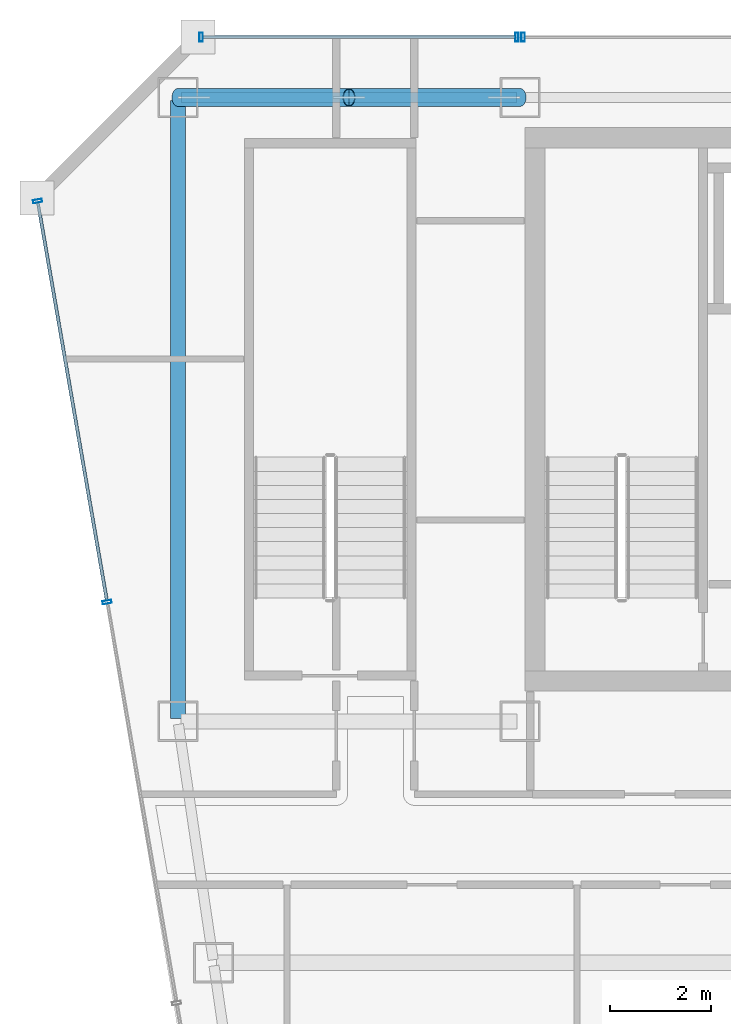
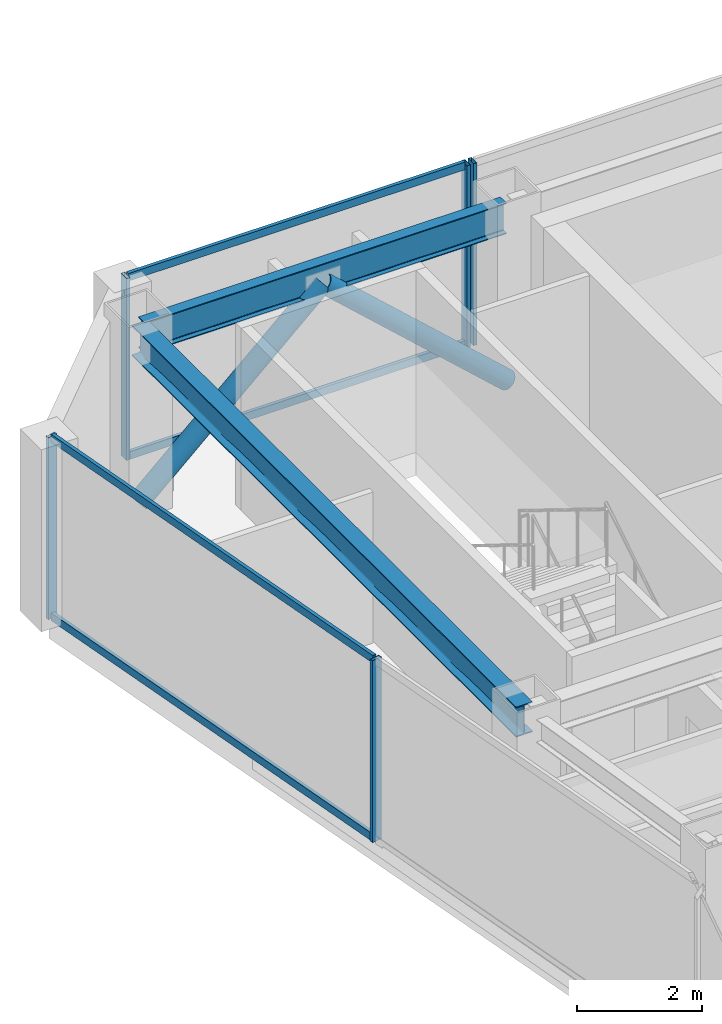
# One storey, part 16 of 31: 11 members, 2 beams, 3 elements without a shape of their own.
"""IFC4 building model written with IfcOpenShell, lengths in metres."""

from ifc_helpers import new_model, si_unit, direction, frame, origin, origin_2d, place, context, subcontext, project, spatial, hollow_rectangle, hollow_circle, i_section, extrude, material, material_profile, profile_set, type_object, element, aggregate, save


model = new_model("IFC4")

# Units and contexts
model_context = context("Model", 3, precision=1e-05, world=origin(), true_north=direction((0.0, 1.0)))
body_context = subcontext(model_context, "Body", "Model", "MODEL_VIEW")
ifc_project = project(units=[si_unit("LENGTHUNIT", "METRE"), si_unit("AREAUNIT", "SQUARE_METRE"), si_unit("VOLUMEUNIT", "CUBIC_METRE"), si_unit("PLANEANGLEUNIT", "RADIAN"), si_unit("MASSUNIT", "GRAM", prefix="KILO")], contexts=[model_context])

# Site, building, storey
site_placement = place(None, origin())
site = spatial("IfcSite", under=ifc_project, at=site_placement, CompositionType="ELEMENT")
building_placement = place(site_placement, origin())
building = spatial("IfcBuilding", under=site, at=building_placement, Name="Saevonmaru Cultural Tower", CompositionType="ELEMENT")
storey_placement = place(building_placement, frame((0.0, 0.0, 230.60009765625)))
storey = spatial("IfcBuildingStorey", under=building, at=storey_placement, Name="L53", CompositionType="ELEMENT", Elevation=230.60009765625)

# Beams
ifc_material_1 = material(Name="Steel SM355", Category="steel")
ifc_material_profile_1 = material_profile(ifc_material_1, i_section(OverallWidth=0.300048828125, OverallDepth=0.587890625, WebThickness=0.011962890625, FlangeThickness=0.02001953125, FilletRadius=0.02392578125, at=origin_2d()), Name="H-588x300x12x20")
ifc_profile_set_1 = profile_set([ifc_material_profile_1], Name="Steel SM355")
beam_type_1 = type_object("IfcBeamType", Name="BM-G-H588", PredefinedType="BEAM", material=ifc_profile_set_1)
beam_1_placement = place(storey_placement, frame((6.800048828125, 54.739990234375, 3.255859375), z_axis=(0.0, -1.0, 0.0), x_axis=(1.0, 0.0, 0.0)))
element("IfcBeam", 1, at=beam_1_placement, inside=storey, type_object=beam_type_1, Name="L53 Spine Transverse Girder W", PredefinedType="BEAM", context=body_context, shape_type="SweptSolid", body=[
    extrude(i_section(OverallWidth=0.300048828125, OverallDepth=0.587890625, WebThickness=0.011962890625, FlangeThickness=0.02001953125, FilletRadius=0.02392578125, at=origin_2d()), origin(), (0.0, 0.0, 1.0), 12.280029296875),
])
ifc_material_profile_2 = material_profile(ifc_material_1, i_section(OverallWidth=0.199951171875, OverallDepth=0.60009765625, WebThickness=0.010986328125, FlangeThickness=0.01708984375, FilletRadius=0.02197265625, at=origin_2d()), Name="H-600x200x11x17")
ifc_profile_set_2 = profile_set([ifc_material_profile_2], Name="Steel SM355")
beam_type_2 = type_object("IfcBeamType", Name="BM-SP-H600", PredefinedType="SPANDREL", material=ifc_profile_set_2)
beam_2_placement = place(storey_placement, frame((6.860107421875, 54.800048828125, 3.25), z_axis=(1.0, 0.0, 0.0), x_axis=(0.0, 1.0, 0.0)))
element("IfcBeam", 2, at=beam_2_placement, inside=storey, type_object=beam_type_2, Name="L53 North Spine Girder 1", PredefinedType="SPANDREL", context=body_context, shape_type="SweptSolid", body=[
    extrude(i_section(OverallWidth=0.199951171875, OverallDepth=0.60009765625, WebThickness=0.010986328125, FlangeThickness=0.01708984375, FilletRadius=0.02197265625, at=origin_2d()), origin(), (0.0, 0.0, 1.0), 6.679931640625),
])

# Members
ifc_material_profile_3 = material_profile(ifc_material_1, hollow_circle(Radius=0.177734375, WallThickness=0.01611328125, at=origin_2d()), Name="CHS-355.6x16")
ifc_profile_set_3 = profile_set([ifc_material_profile_3], Name="Steel SM355")
member_type_1 = type_object("IfcMemberType", Name="MB-PBR-CHS356", PredefinedType="BRACE", material=ifc_profile_set_3)
member_1_placement = place(storey_placement, frame((6.800048828125, 54.800048828125, 0.02001953125), z_axis=(0.738962060105, 0.0, 0.673747039864), x_axis=(0.0, 1.0, 0.0)))
element("IfcMember", 3, at=member_1_placement, inside=storey, type_object=member_type_1, Name="L53 Perimeter Braced-Tube Diagonal WN1", PredefinedType="BRACE", context=body_context, shape_type="SweptSolid", body=[
    extrude(hollow_circle(Radius=0.177734375, WallThickness=0.01611328125, at=origin_2d()), origin(), (0.0, 0.0, 1.0), 4.600830078125),
])
member_2_placement = place(storey_placement, frame((13.60009765625, 54.800048828125, 0.02001953125), z_axis=(-0.738986146064, 0.0, 0.673720621568), x_axis=(0.0, -1.0, 0.0)))
element("IfcMember", 4, at=member_2_placement, inside=storey, type_object=member_type_1, Name="L53 Perimeter Braced-Tube Diagonal WN2", PredefinedType="BRACE", context=body_context, shape_type="SweptSolid", body=[
    extrude(hollow_circle(Radius=0.177734375, WallThickness=0.01611328125, at=origin_2d()), origin(), (0.0, 0.0, 1.0), 4.60107421875),
])

# Curtain wall, member
ifc_material_2 = material(Name="Satin Bronze Anodised Aluminium", Category="aluminium")
curtain_wall_type = type_object("IfcCurtainWallType", Name="CW-SKY-GLZ", PredefinedType="NOTDEFINED", material=ifc_material_2)
curtain_wall_1_placement = place(storey_placement, origin())
curtain_wall_1 = element("IfcCurtainWall", 5, at=curtain_wall_1_placement, inside=storey, type_object=curtain_wall_type, Name="L53 North Spine Unitised Curtain Wall E10B", PredefinedType="NOTDEFINED")
ifc_material_profile_4 = material_profile(ifc_material_2, hollow_rectangle(XDim=0.06494140625, YDim=0.179931640625, WallThickness=0.00390625, at=origin_2d()), Name="ALU-MULL-180x65x4")
ifc_profile_set_4 = profile_set([ifc_material_profile_4], Name="Satin Bronze Anodised Aluminium")
member_type_2 = type_object("IfcMemberType", Name="ML-CW-180x65", PredefinedType="MULLION", material=ifc_profile_set_4)
member_3_placement = place(storey_placement, frame((13.659912109375, 56.0, 0.0), z_axis=(0.0, 0.0, 1.0), x_axis=(-1.0, 0.0, 0.0)))
member_3 = element("IfcMember", 6, at=member_3_placement, type_object=member_type_2, Name="CW-TW-L53-E10B mullion 5", PredefinedType="MULLION", context=body_context, shape_type="SweptSolid", body=[
    extrude(hollow_rectangle(XDim=0.06494140625, YDim=0.179931640625, WallThickness=0.00390625, at=origin_2d()), origin(), (0.0, 0.0, 1.0), 3.5498046875),
])
aggregate(curtain_wall_1, [member_3])

# Curtain wall, members
curtain_wall_2_placement = place(storey_placement, origin())
curtain_wall_2 = element("IfcCurtainWall", 7, at=curtain_wall_2_placement, inside=storey, type_object=curtain_wall_type, Name="L53 West Braced Bay Spandrel Curtain Wall E10C", PredefinedType="NOTDEFINED")
member_4_placement = place(storey_placement, frame((13.5400390625, 56.0, 0.0), z_axis=(0.0, 0.0, 1.0), x_axis=(-1.0, 0.0, 0.0)))
member_4 = element("IfcMember", 8, at=member_4_placement, type_object=member_type_2, Name="CW-TW-L53-E10C mullion 1", PredefinedType="MULLION", context=body_context, shape_type="SweptSolid", body=[
    extrude(hollow_rectangle(XDim=0.06494140625, YDim=0.179931640625, WallThickness=0.00390625, at=origin_2d()), origin(), (0.0, 0.0, 1.0), 3.5498046875),
])
member_5_placement = place(storey_placement, frame((7.260009765625, 56.0, 0.0), z_axis=(0.0, 0.0, 1.0), x_axis=(-1.0, 0.0, 0.0)))
member_5 = element("IfcMember", 9, at=member_5_placement, type_object=member_type_2, Name="CW-TW-L53-E10C mullion 2", PredefinedType="MULLION", context=body_context, shape_type="SweptSolid", body=[
    extrude(hollow_rectangle(XDim=0.06494140625, YDim=0.179931640625, WallThickness=0.00390625, at=origin_2d()), origin(), (0.0, 0.0, 1.0), 3.5498046875),
])

curtain_wall_3_placement = place(storey_placement, origin())
curtain_wall_3 = element("IfcCurtainWall", 10, at=curtain_wall_3_placement, inside=storey, type_object=curtain_wall_type, Name="L53 Unitised Curtain Wall E12", PredefinedType="NOTDEFINED")
member_6_placement = place(storey_placement, frame((4.01025390625, 52.740966796875, 0.0), z_axis=(0.0, 0.0, 1.0), x_axis=(0.170790369887, -0.985307388359, 0.0)))
member_6 = element("IfcMember", 11, at=member_6_placement, type_object=member_type_2, Name="CW-TW-L53-E12 mullion 1", PredefinedType="MULLION", context=body_context, shape_type="SweptSolid", body=[
    extrude(hollow_rectangle(XDim=0.06494140625, YDim=0.179931640625, WallThickness=0.00390625, at=origin_2d()), origin(), (0.0, 0.0, 1.0), 3.5498046875),
])
member_7_placement = place(storey_placement, frame((5.391845703125, 44.7705078125, 0.0), z_axis=(0.0, 0.0, 1.0), x_axis=(0.170790369887, -0.985307388359, 0.0)))
member_7 = element("IfcMember", 12, at=member_7_placement, type_object=member_type_2, Name="CW-TW-L53-E12 mullion 2", PredefinedType="MULLION", context=body_context, shape_type="SweptSolid", body=[
    extrude(hollow_rectangle(XDim=0.06494140625, YDim=0.179931640625, WallThickness=0.00390625, at=origin_2d()), origin(), (0.0, 0.0, 1.0), 3.5498046875),
])

# Member
ifc_material_profile_5 = material_profile(ifc_material_2, hollow_rectangle(XDim=0.06494140625, YDim=0.14990234375, WallThickness=0.00390625, at=origin_2d()), Name="ALU-TRAN-150x65x4")
ifc_profile_set_5 = profile_set([ifc_material_profile_5], Name="Satin Bronze Anodised Aluminium")
member_type_3 = type_object("IfcMemberType", Name="TR-CW-150x65", PredefinedType="USERDEFINED", material=ifc_profile_set_5)
member_8_placement = place(storey_placement, frame((13.507568359375, 56.0, 0.032470703125), z_axis=(-1.0, 0.0, 0.0), x_axis=(0.0, -1.0, 0.0)))
member_8 = element("IfcMember", 13, at=member_8_placement, type_object=member_type_3, Name="CW-TW-L53-E10C transom 1.1", ObjectType="TRANSOM", PredefinedType="USERDEFINED", context=body_context, shape_type="SweptSolid", body=[
    extrude(hollow_rectangle(XDim=0.06494140625, YDim=0.14990234375, WallThickness=0.00390625, at=origin_2d()), origin(), (0.0, 0.0, 1.0), 6.215087890625),
])

member_9_placement = place(storey_placement, frame((13.507568359375, 56.0, 3.517333984375), z_axis=(-1.0, 0.0, 0.0), x_axis=(0.0, -1.0, 0.0)))
member_9 = element("IfcMember", 14, at=member_9_placement, type_object=member_type_3, Name="CW-TW-L53-E10C transom 1.2", ObjectType="TRANSOM", PredefinedType="USERDEFINED", context=body_context, shape_type="SweptSolid", body=[
    extrude(hollow_rectangle(XDim=0.06494140625, YDim=0.14990234375, WallThickness=0.00390625, at=origin_2d()), origin(), (0.0, 0.0, 1.0), 6.215087890625),
])

aggregate(curtain_wall_2, [member_4, member_5, member_8, member_9])

member_10_placement = place(storey_placement, frame((4.015869140625, 52.708984375, 0.032470703125), z_axis=(0.170774908542, -0.985310068259, 0.0), x_axis=(0.985310068259, 0.170774908542, 0.0)))
member_10 = element("IfcMember", 15, at=member_10_placement, type_object=member_type_3, Name="CW-TW-L53-E12 transom 1.1", ObjectType="TRANSOM", PredefinedType="USERDEFINED", context=body_context, shape_type="SweptSolid", body=[
    extrude(hollow_rectangle(XDim=0.06494140625, YDim=0.14990234375, WallThickness=0.00390625, at=origin_2d()), origin(), (0.0, 0.0, 1.0), 8.0244140625),
])

member_11_placement = place(storey_placement, frame((4.015869140625, 52.708984375, 3.517333984375), z_axis=(0.170774908542, -0.985310068259, 0.0), x_axis=(0.985310068259, 0.170774908542, 0.0)))
member_11 = element("IfcMember", 16, at=member_11_placement, type_object=member_type_3, Name="CW-TW-L53-E12 transom 1.2", ObjectType="TRANSOM", PredefinedType="USERDEFINED", context=body_context, shape_type="SweptSolid", body=[
    extrude(hollow_rectangle(XDim=0.06494140625, YDim=0.14990234375, WallThickness=0.00390625, at=origin_2d()), origin(), (0.0, 0.0, 1.0), 8.0244140625),
])

aggregate(curtain_wall_3, [member_6, member_7, member_10, member_11])

save(model, "model.ifc")
